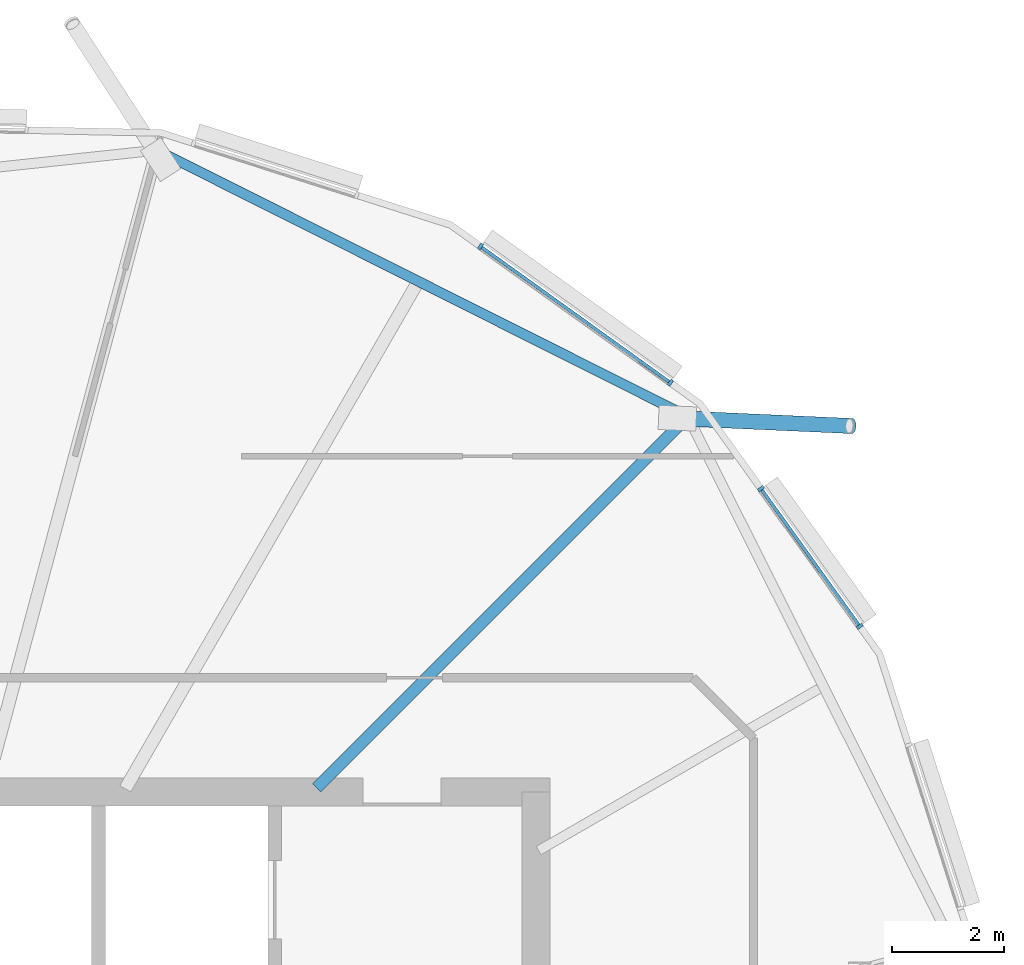
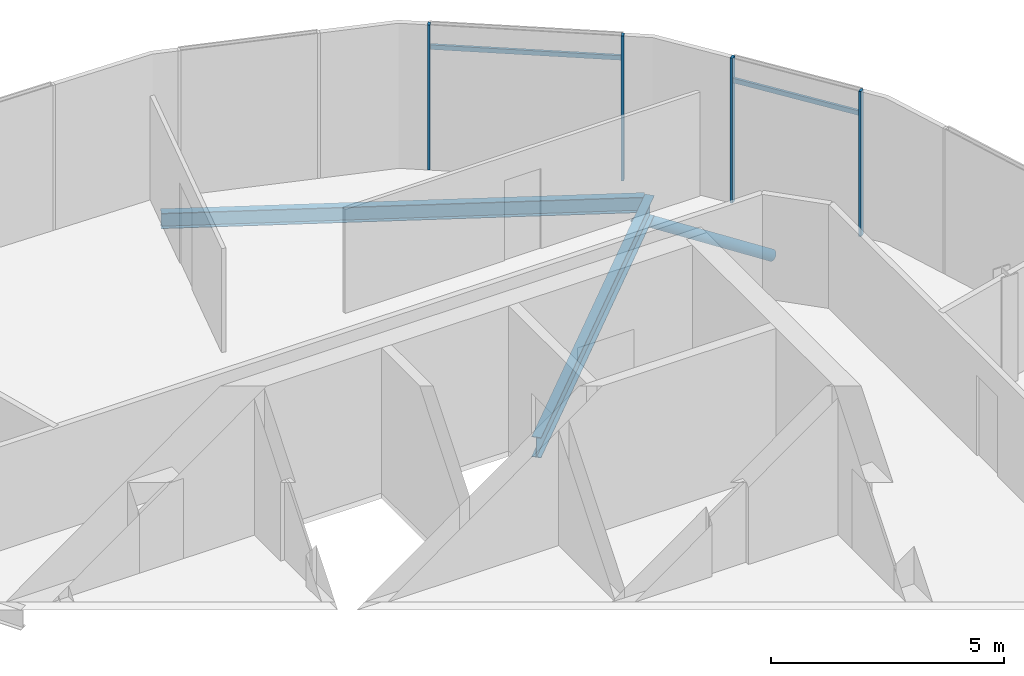
# One storey, part 15 of 41: 7 members, 2 beams, 1 element without a shape of its own.
"""IFC4 building model written with IfcOpenShell, lengths in metres."""

from ifc_helpers import new_model, si_unit, direction, frame, origin, origin_2d, place, context, subcontext, project, spatial, rectangle, hollow_circle, i_section, extrude, clip, halfspace, material, material_profile, profile_set, type_object, element, aggregate, save


model = new_model("IFC4")

# Units and contexts
model_context = context("Model", 3, precision=1e-05, world=origin(), true_north=direction((0.0, 1.0)))
body_context = subcontext(model_context, "Body", "Model", "MODEL_VIEW")
ifc_project = project(units=[si_unit("LENGTHUNIT", "METRE"), si_unit("AREAUNIT", "SQUARE_METRE"), si_unit("VOLUMEUNIT", "CUBIC_METRE"), si_unit("PLANEANGLEUNIT", "RADIAN"), si_unit("MASSUNIT", "GRAM", prefix="KILO")], contexts=[model_context])

# Site, building, storey
site_placement = place(None, origin())
site = spatial("IfcSite", under=ifc_project, at=site_placement, CompositionType="ELEMENT")
building_placement = place(site_placement, origin())
building = spatial("IfcBuilding", under=site, at=building_placement, Name="Rimbun Link Towers", CompositionType="ELEMENT")
storey_placement = place(building_placement, frame((0.0, 0.0, 214.300048828125)))
storey = spatial("IfcBuildingStorey", under=building, at=storey_placement, Name="L52", CompositionType="ELEMENT", Elevation=214.300048828125)

# Curtain wall, members
ifc_material_1 = material(Name="Aluminium 6063-T6 and low-iron glass", Category="aluminium")
curtain_wall_type = type_object("IfcCurtainWallType", Name="CW1-Z4 unitised vision wall (zone 4)", PredefinedType="NOTDEFINED", material=ifc_material_1)
curtain_wall_placement = place(storey_placement, origin())
curtain_wall = element("IfcCurtainWall", 1, at=curtain_wall_placement, inside=storey, type_object=curtain_wall_type, Name="CW1 L52 T2", PredefinedType="NOTDEFINED")
ifc_material_2 = material(Name="Aluminium 6063-T6", Category="aluminium")
ifc_material_profile_1 = material_profile(ifc_material_2, rectangle(XDim=0.1201171875, YDim=0.06005859375, at=origin_2d()), Name="MULLION 60X120")
ifc_profile_set_1 = profile_set([ifc_material_profile_1], Name="Aluminium 6063-T6")
member_type_1 = type_object("IfcMemberType", Name="CW1 mullion 60X120", PredefinedType="MULLION", material=ifc_profile_set_1)
member_1_placement = place(storey_placement, frame((42.754638671875, 17.7548828125, 0.0), z_axis=(0.0, 0.0, 1.0), x_axis=(0.583003511617, 0.812469633551, 0.0)))
member_1 = element("IfcMember", 2, at=member_1_placement, type_object=member_type_1, Name="CW1 mullion", PredefinedType="MULLION", context=body_context, shape_type="SweptSolid", body=[
    extrude(rectangle(XDim=0.1201171875, YDim=0.06005859375, at=origin_2d()), origin(), (0.0, 0.0, 1.0), 3.800048828125),
])
member_2_placement = place(storey_placement, frame((46.148681640625, 15.319580078125, 0.0), z_axis=(0.0, 0.0, 1.0), x_axis=(0.583003511617, 0.812469633551, 0.0)))
member_2 = element("IfcMember", 3, at=member_2_placement, type_object=member_type_1, Name="CW1 mullion", PredefinedType="MULLION", context=body_context, shape_type="SweptSolid", body=[
    extrude(rectangle(XDim=0.1201171875, YDim=0.06005859375, at=origin_2d()), origin(), (0.0, 0.0, 1.0), 3.800048828125),
])
member_3_placement = place(storey_placement, frame((47.76904296875, 13.423828125, 0.0), z_axis=(0.0, 0.0, 1.0), x_axis=(0.812469633551, 0.583003511617, 0.0)))
member_3 = element("IfcMember", 4, at=member_3_placement, type_object=member_type_1, Name="CW1 mullion", PredefinedType="MULLION", context=body_context, shape_type="SweptSolid", body=[
    extrude(rectangle(XDim=0.1201171875, YDim=0.06005859375, at=origin_2d()), origin(), (0.0, 0.0, 1.0), 3.800048828125),
])
member_4_placement = place(storey_placement, frame((49.5341796875, 10.9638671875, 0.0), z_axis=(0.0, 0.0, 1.0), x_axis=(0.812469633551, 0.583003511617, 0.0)))
member_4 = element("IfcMember", 5, at=member_4_placement, type_object=member_type_1, Name="CW1 mullion", PredefinedType="MULLION", context=body_context, shape_type="SweptSolid", body=[
    extrude(rectangle(XDim=0.1201171875, YDim=0.06005859375, at=origin_2d()), origin(), (0.0, 0.0, 1.0), 3.800048828125),
])
ifc_material_3 = material(Name="Aluminium 6063-T6", Category="aluminium")
ifc_material_profile_2 = material_profile(ifc_material_3, rectangle(XDim=0.06005859375, YDim=0.1201171875, at=origin_2d()), Name="TRANSOM 60X120")
ifc_profile_set_2 = profile_set([ifc_material_profile_2], Name="Aluminium 6063-T6")
member_type_2 = type_object("IfcMemberType", Name="CW1 transom 60X120", PredefinedType="USERDEFINED", material=ifc_profile_set_2)
member_5_placement = place(storey_placement, frame((42.77783203125, 17.73583984375, 3.199951171875), z_axis=(0.812473528823, -0.582998083155, 0.0), x_axis=(0.582998083155, 0.812473528823, 0.0)))
member_5 = element("IfcMember", 6, at=member_5_placement, type_object=member_type_2, Name="CW1 transom", ObjectType="TRANSOM", PredefinedType="USERDEFINED", context=body_context, shape_type="SweptSolid", body=[
    extrude(rectangle(XDim=0.06005859375, YDim=0.1201171875, at=origin_2d()), origin(), (0.0, 0.0, 1.0), 4.117431640625),
])
member_6_placement = place(storey_placement, frame((47.784912109375, 13.398193359375, 3.199951171875), z_axis=(0.583018858473, -0.812458620894, 0.0), x_axis=(0.812458620894, 0.583018858473, 0.0)))
member_6 = element("IfcMember", 7, at=member_6_placement, type_object=member_type_2, Name="CW1 transom", ObjectType="TRANSOM", PredefinedType="USERDEFINED", context=body_context, shape_type="SweptSolid", body=[
    extrude(rectangle(XDim=0.06005859375, YDim=0.1201171875, at=origin_2d()), origin(), (0.0, 0.0, 1.0), 2.9677734375),
])
aggregate(curtain_wall, [member_1, member_2, member_3, member_4, member_5, member_6])

# Member
ifc_material_4 = material(Name="Steel S355J2H", Category="steel")
ifc_material_profile_3 = material_profile(ifc_material_4, hollow_circle(Radius=0.136474609375, WallThickness=0.012451171875, at=origin_2d()), Name="CHS 273x12.5")
ifc_profile_set_3 = profile_set([ifc_material_profile_3], Name="Steel S355J2H")
member_type_3 = type_object("IfcMemberType", Name="Floor edge link CHS 273x12.5", PredefinedType="BRACE", material=ifc_profile_set_3)
member_7_placement = place(storey_placement, frame((46.42724609375, 14.67724609375, -0.788818359375), z_axis=(0.846235559287, -0.037946221804, -0.531455983548), x_axis=(0.044796190555, 0.998996146795, 0.0)))
element("IfcMember", 8, at=member_7_placement, inside=storey, type_object=member_type_3, Name="Floor edge link T2 L52 00", PredefinedType="BRACE", context=body_context, shape_type="Clipping", body=[
    clip(extrude(hollow_circle(Radius=0.136474609375, WallThickness=0.012451171875, at=origin_2d()), frame((0.0, 0.0, -0.453857421875)), (0.0, 0.0, 1.0), 3.96044921875), halfspace(frame((0.0, 0.0, -0.2138671875), z_axis=(0.0, 0.847085909192, -0.531455983548)), False)),
])

# Beams
ifc_material_5 = material(Name="Steel S355J2", Category="steel")
ifc_material_profile_4 = material_profile(ifc_material_5, i_section(OverallWidth=0.177978515625, OverallDepth=0.406494140625, WebThickness=0.0078125, FlangeThickness=0.0126953125, at=origin_2d()), Name="UB 406x178x60")
ifc_profile_set_4 = profile_set([ifc_material_profile_4], Name="Steel S355J2")
beam_type_1 = type_object("IfcBeamType", Name="UB 406x178x60", PredefinedType="BEAM", material=ifc_profile_set_4)
beam_1_placement = place(storey_placement, frame((46.36328125, 14.762451171875, -0.34326171875), z_axis=(-0.893792079983, 0.448481569029, 0.0), x_axis=(-0.448481569029, -0.893792079983, 0.0)))
element("IfcBeam", 9, at=beam_1_placement, inside=storey, type_object=beam_type_1, Name="Edge beam T2 L52 00-02", PredefinedType="BEAM", context=body_context, shape_type="SweptSolid", body=[
    extrude(i_section(OverallWidth=0.177978515625, OverallDepth=0.406494140625, WebThickness=0.0078125, FlangeThickness=0.0126953125, at=origin_2d()), origin(), (0.0, 0.0, 1.0), 10.393798828125),
])
ifc_material_6 = material(Name="Steel S355J2", Category="steel")
ifc_material_profile_5 = material_profile(ifc_material_6, i_section(OverallWidth=0.209228515625, OverallDepth=0.533203125, WebThickness=0.010009765625, FlangeThickness=0.015625, at=origin_2d()), Name="UB 533x210x92")
ifc_profile_set_5 = profile_set([ifc_material_profile_5], Name="Steel S355J2")
beam_type_2 = type_object("IfcBeamType", Name="UB 533x210x92", PredefinedType="BEAM", material=ifc_profile_set_5)
beam_2_placement = place(storey_placement, frame((39.82470703125, 8.07470703125, -0.406494140625), z_axis=(0.707106781187, 0.707106781187, 0.0), x_axis=(-0.707106781187, 0.707106781187, 0.0)))
element("IfcBeam", 10, at=beam_2_placement, inside=storey, type_object=beam_type_2, Name="Radial beam T2 L52 00", PredefinedType="BEAM", context=body_context, shape_type="SweptSolid", body=[
    extrude(i_section(OverallWidth=0.209228515625, OverallDepth=0.533203125, WebThickness=0.010009765625, FlangeThickness=0.015625, at=origin_2d()), origin(), (0.0, 0.0, 1.0), 9.387451171875),
])

save(model, "model.ifc")
